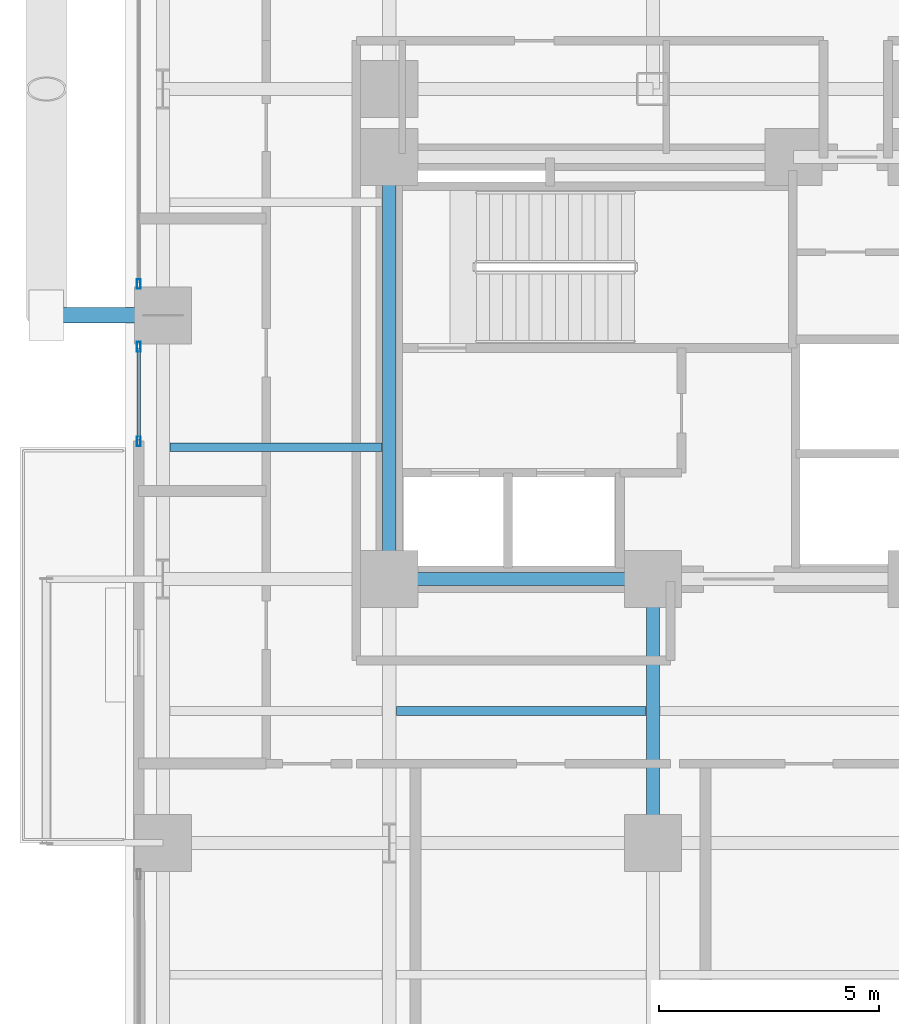
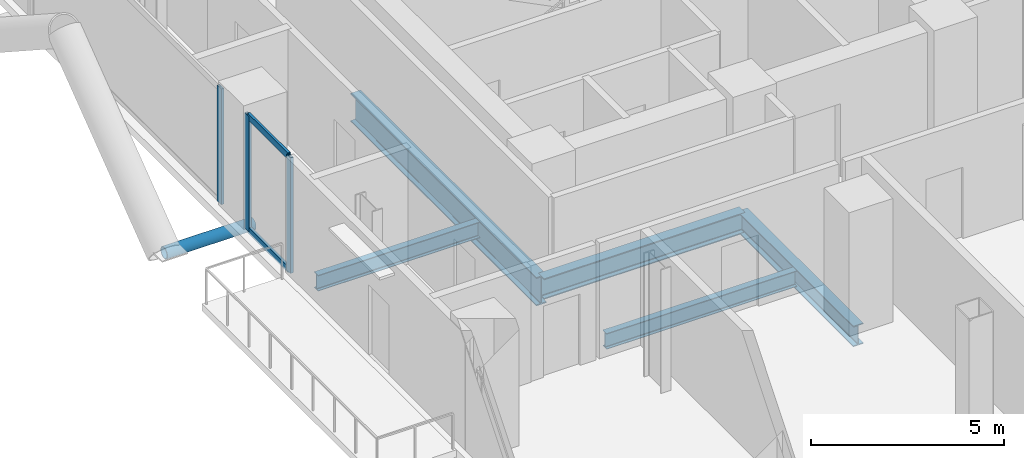
# One storey, part 5 of 25: 6 members, 5 beams, 2 elements without a shape of their own.
"""IFC4 building model written with IfcOpenShell, lengths in metres."""

from ifc_helpers import new_model, si_unit, direction, frame, origin, origin_2d, place, context, subcontext, project, spatial, hollow_rectangle, hollow_circle, i_section, extrude, material, layer, layer_set, material_profile, profile_set, type_object, element, aggregate, save


model = new_model("IFC4")

# Units and contexts
model_context = context("Model", 3, precision=1e-05, world=origin(), true_north=direction((0.0, 1.0)))
body_context = subcontext(model_context, "Body", "Model", "MODEL_VIEW")
ifc_project = project(units=[si_unit("LENGTHUNIT", "METRE"), si_unit("AREAUNIT", "SQUARE_METRE"), si_unit("VOLUMEUNIT", "CUBIC_METRE"), si_unit("PLANEANGLEUNIT", "RADIAN"), si_unit("MASSUNIT", "GRAM", prefix="KILO"), si_unit("THERMODYNAMICTEMPERATUREUNIT", "KELVIN"), si_unit("POWERUNIT", "WATT")], contexts=[model_context])

# Site, building, storey
site_placement = place(None, origin())
site = spatial("IfcSite", under=ifc_project, at=site_placement, CompositionType="ELEMENT")
building_placement = place(site_placement, origin())
building = spatial("IfcBuilding", under=site, at=building_placement, Name="Svarakhadi Broadcast Tower", CompositionType="ELEMENT")
storey_placement = place(building_placement, frame((0.0, 0.0, 83.10009765625)))
storey = spatial("IfcBuildingStorey", under=building, at=storey_placement, Name="L19", CompositionType="ELEMENT", Elevation=83.10009765625)

# Beams
ifc_material_1 = material(Name="Steel S355J2 (IS 2062 E350C)", Category="steel")
ifc_material_profile_1 = material_profile(ifc_material_1, i_section(OverallWidth=0.199951171875, OverallDepth=0.5, WebThickness=0.01025390625, FlangeThickness=0.01611328125, FilletRadius=0.02099609375, at=origin_2d()), Name="NPB 500x200x91")
ifc_profile_set_1 = profile_set([ifc_material_profile_1], Name="Steel S355J2 (IS 2062 E350C)")
beam_type_1 = type_object("IfcBeamType", Name="Beam_NPB500", PredefinedType="BEAM", material=ifc_profile_set_1)
beam_1_placement = place(storey_placement, frame((1.010009765625, 21.0, -0.5), z_axis=(1.0, 0.0, 0.0), x_axis=(0.0, 1.0, 0.0)))
element("IfcBeam", 1, at=beam_1_placement, inside=storey, type_object=beam_type_1, Name="L19 Secondary Composite Beam SB003", PredefinedType="BEAM", context=body_context, shape_type="SweptSolid", body=[
    extrude(i_section(OverallWidth=0.199951171875, OverallDepth=0.5, WebThickness=0.01025390625, FlangeThickness=0.01611328125, FilletRadius=0.02099609375, at=origin_2d()), origin(), (0.0, 0.0, 1.0), 4.830078125),
])
beam_2_placement = place(storey_placement, frame((6.159912109375, 15.0, -0.5), z_axis=(1.0, 0.0, 0.0), x_axis=(0.0, 1.0, 0.0)))
element("IfcBeam", 2, at=beam_2_placement, inside=storey, type_object=beam_type_1, Name="L19 Secondary Composite Beam SB009", PredefinedType="BEAM", context=body_context, shape_type="SweptSolid", body=[
    extrude(i_section(OverallWidth=0.199951171875, OverallDepth=0.5, WebThickness=0.01025390625, FlangeThickness=0.01611328125, FilletRadius=0.02099609375, at=origin_2d()), origin(), (0.0, 0.0, 1.0), 5.68017578125),
])

# Curtain wall, members
ifc_material_2 = material(Name="Anodised Bronze Aluminium AA 6063-T6", Category="aluminium")
ifc_layer = layer(ifc_material_2, 0.219970703125)
ifc_layer_set = layer_set([ifc_layer], Name="Anodised Bronze Aluminium AA 6063-T6")
curtain_wall_type = type_object("IfcCurtainWallType", Name="CW_Sys_02", PredefinedType="NOTDEFINED", material=ifc_layer_set)
curtain_wall_1_placement = place(storey_placement, origin())
curtain_wall_1 = element("IfcCurtainWall", 3, at=curtain_wall_1_placement, inside=storey, type_object=curtain_wall_type, Name="L19 West Curtain Wall 03 Bay 1", PredefinedType="NOTDEFINED")
ifc_material_profile_2 = material_profile(ifc_material_2, hollow_rectangle(XDim=0.0849609375, YDim=0.219970703125, WallThickness=0.006103515625, at=origin_2d()), Name="ALU MULLION 220x85x6")
ifc_profile_set_2 = profile_set([ifc_material_profile_2], Name="Anodised Bronze Aluminium AA 6063-T6")
member_type_1 = type_object("IfcMemberType", Name="CW_Sys_02_Mul", PredefinedType="MULLION", material=ifc_profile_set_2)
member_1_placement = place(storey_placement, frame((0.300048828125, 21.132568359375, 0.0), z_axis=(0.0, 0.0, 1.0), x_axis=(-1.0, 0.0, 0.0)))
member_1 = element("IfcMember", 4, at=member_1_placement, type_object=member_type_1, Name="CW-02 mullion 1", PredefinedType="MULLION", context=body_context, shape_type="SweptSolid", body=[
    extrude(hollow_rectangle(XDim=0.0849609375, YDim=0.219970703125, WallThickness=0.006103515625, at=origin_2d()), origin(), (0.0, 0.0, 1.0), 3.64990234375),
])
member_2_placement = place(storey_placement, frame((0.300048828125, 23.28759765625, 0.0), z_axis=(0.0, 0.0, 1.0), x_axis=(-1.0, 0.0, 0.0)))
member_2 = element("IfcMember", 5, at=member_2_placement, type_object=member_type_1, Name="CW-02 mullion 2", PredefinedType="MULLION", context=body_context, shape_type="SweptSolid", body=[
    extrude(hollow_rectangle(XDim=0.0849609375, YDim=0.219970703125, WallThickness=0.006103515625, at=origin_2d()), origin(), (0.0, 0.0, 1.0), 3.64990234375),
])

# Curtain wall, member
curtain_wall_2_placement = place(storey_placement, origin())
curtain_wall_2 = element("IfcCurtainWall", 6, at=curtain_wall_2_placement, inside=storey, type_object=curtain_wall_type, Name="L19 West Curtain Wall 03 Bay 2", PredefinedType="NOTDEFINED")
member_3_placement = place(storey_placement, frame((0.300048828125, 24.71240234375, 0.0), z_axis=(0.0, 0.0, 1.0), x_axis=(-1.0, 0.0, 0.0)))
member_3 = element("IfcMember", 7, at=member_3_placement, type_object=member_type_1, Name="CW-02 mullion 1", PredefinedType="MULLION", context=body_context, shape_type="SweptSolid", body=[
    extrude(hollow_rectangle(XDim=0.0849609375, YDim=0.219970703125, WallThickness=0.006103515625, at=origin_2d()), origin(), (0.0, 0.0, 1.0), 3.64990234375),
])
aggregate(curtain_wall_2, [member_3])

# Member
ifc_material_profile_3 = material_profile(ifc_material_2, hollow_rectangle(XDim=0.074951171875, YDim=0.199951171875, WallThickness=0.0048828125, at=origin_2d()), Name="ALU TRANSOM 200x75x5")
ifc_profile_set_3 = profile_set([ifc_material_profile_3], Name="Anodised Bronze Aluminium AA 6063-T6")
member_type_2 = type_object("IfcMemberType", Name="CW_Sys_02_Trn", PredefinedType="USERDEFINED", material=ifc_profile_set_3)
member_4_placement = place(storey_placement, frame((0.300048828125, 21.175048828125, 0.037353515625), z_axis=(0.0, 1.0, 0.0), x_axis=(-1.0, 0.0, 0.0)))
member_4 = element("IfcMember", 8, at=member_4_placement, type_object=member_type_2, Name="CW-02 transom 1.1", ObjectType="TRANSOM", PredefinedType="USERDEFINED", context=body_context, shape_type="SweptSolid", body=[
    extrude(hollow_rectangle(XDim=0.074951171875, YDim=0.199951171875, WallThickness=0.0048828125, at=origin_2d()), origin(), (0.0, 0.0, 1.0), 2.070068359375),
])

member_5_placement = place(storey_placement, frame((0.300048828125, 21.175048828125, 3.6123046875), z_axis=(0.0, 1.0, 0.0), x_axis=(-1.0, 0.0, 0.0)))
member_5 = element("IfcMember", 9, at=member_5_placement, type_object=member_type_2, Name="CW-02 transom 1.2", ObjectType="TRANSOM", PredefinedType="USERDEFINED", context=body_context, shape_type="SweptSolid", body=[
    extrude(hollow_rectangle(XDim=0.074951171875, YDim=0.199951171875, WallThickness=0.0048828125, at=origin_2d()), origin(), (0.0, 0.0, 1.0), 2.070068359375),
])

aggregate(curtain_wall_1, [member_1, member_2, member_4, member_5])

ifc_material_3 = material(Name="Steel S460ML (IS 2062 E450BR)", Category="steel")
ifc_material_profile_4 = material_profile(ifc_material_3, hollow_circle(Radius=0.177734375, WallThickness=0.02001953125, at=origin_2d()), Name="CHS 355.6x20")
ifc_profile_set_4 = profile_set([ifc_material_profile_4], Name="Steel S460ML (IS 2062 E450BR)")
member_type_3 = type_object("IfcMemberType", Name="Exo_Radial_Strut_Z1", PredefinedType="STRUT", material=ifc_profile_set_4)
member_6_placement = place(storey_placement, frame((-1.800048828125, 24.0, -0.427978515625), z_axis=(1.0, 0.0, 0.0), x_axis=(0.0, 1.0, 0.0)))
element("IfcMember", 10, at=member_6_placement, inside=storey, type_object=member_type_3, Name="L19 Exoskeleton Radial Tie Strut W04", PredefinedType="STRUT", context=body_context, shape_type="SweptSolid", body=[
    extrude(hollow_circle(Radius=0.177734375, WallThickness=0.02001953125, at=origin_2d()), origin(), (0.0, 0.0, 1.0), 2.650146484375),
])

# Beams
ifc_material_profile_5 = material_profile(ifc_material_1, i_section(OverallWidth=0.300048828125, OverallDepth=0.64990234375, WebThickness=0.01611328125, FlangeThickness=0.031005859375, FilletRadius=0.027099609375, at=origin_2d()), Name="WPB 650x300x225")
ifc_profile_set_5 = profile_set([ifc_material_profile_5], Name="Steel S355J2 (IS 2062 E350C)")
beam_type_2 = type_object("IfcBeamType", Name="Girder_WPB650", PredefinedType="USERDEFINED", material=ifc_profile_set_5)
for number, where, z_axis, x_axis, name in (
    (11, (6.0, 18.0, -0.5751953125), (1.0, 0.0, 0.0), (0.0, 1.0, 0.0), "L19 Primary E-W Girder G026"),
    (12, (12.0, 12.0, -0.5751953125), (0.0, 1.0, 0.0), (-1.0, 0.0, 0.0), "L19 Primary N-S Girder G060"),
):
    element("IfcBeam", number, at=place(storey_placement, frame(where, z_axis=z_axis, x_axis=x_axis)), inside=storey, type_object=beam_type_2, Name=name, ObjectType="GIRDER", PredefinedType="USERDEFINED", context=body_context, shape_type="SweptSolid", body=[
        extrude(i_section(OverallWidth=0.300048828125, OverallDepth=0.64990234375, WebThickness=0.01611328125, FlangeThickness=0.031005859375, FilletRadius=0.027099609375, at=origin_2d()), origin(), (0.0, 0.0, 1.0), 6.0),
    ])
ifc_material_profile_6 = material_profile(ifc_material_3, i_section(OverallWidth=0.300048828125, OverallDepth=0.89990234375, WebThickness=0.0185546875, FlangeThickness=0.034912109375, FilletRadius=0.030029296875, at=origin_2d()), Name="WPB 900x300x291")
ifc_profile_set_6 = profile_set([ifc_material_profile_6], Name="Steel S460ML (IS 2062 E450BR)")
beam_type_3 = type_object("IfcBeamType", Name="Girder_WPB900", PredefinedType="USERDEFINED", material=ifc_profile_set_6)
beam_3_placement = place(storey_placement, frame((6.0, 18.0, -0.7001953125), z_axis=(0.0, 1.0, 0.0), x_axis=(-1.0, 0.0, 0.0)))
element("IfcBeam", 13, at=beam_3_placement, inside=storey, type_object=beam_type_3, Name="L19 Primary N-S Girder G054", ObjectType="GIRDER", PredefinedType="USERDEFINED", context=body_context, shape_type="SweptSolid", body=[
    extrude(i_section(OverallWidth=0.300048828125, OverallDepth=0.89990234375, WebThickness=0.0185546875, FlangeThickness=0.034912109375, FilletRadius=0.030029296875, at=origin_2d()), origin(), (0.0, 0.0, 1.0), 9.60009765625),
])

save(model, "model.ifc")
